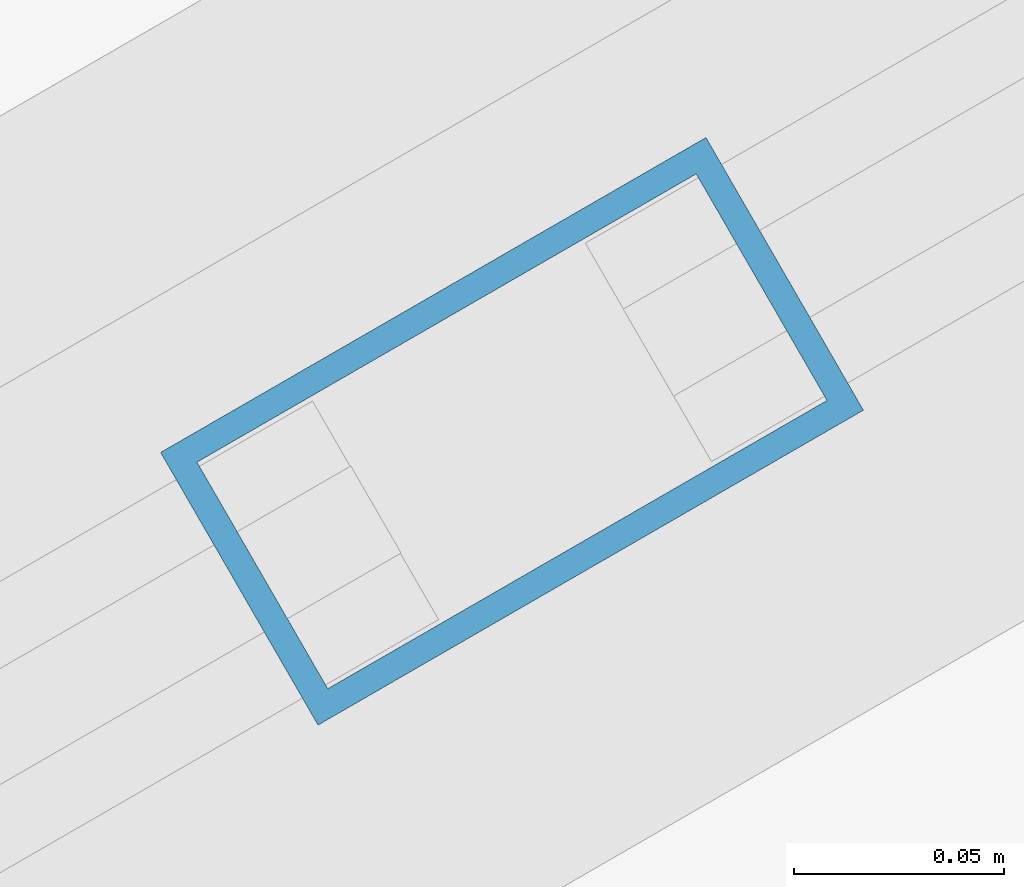
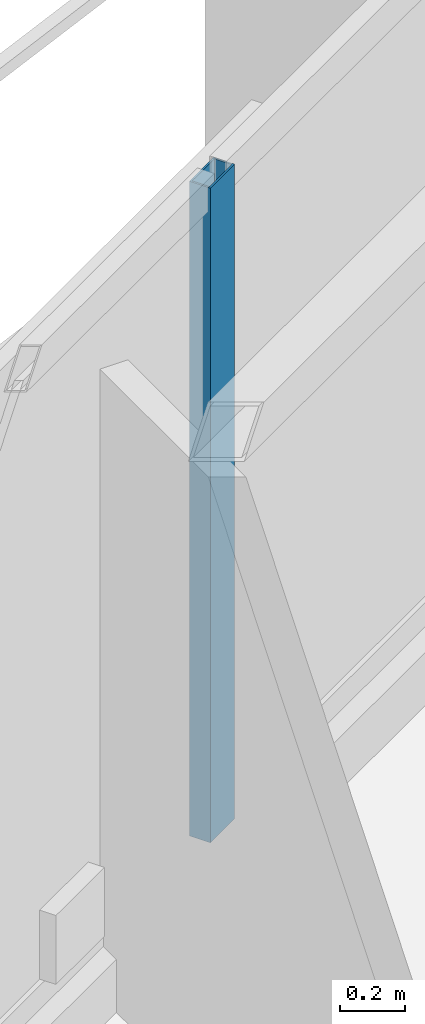
# One storey, part 11 of 23: 1 member, 1 element without a shape of its own.
"""IFC4 building model written with IfcOpenShell, lengths in metres."""

from ifc_helpers import new_model, si_unit, direction, frame, origin, origin_2d, place, context, subcontext, project, spatial, hollow_rectangle, extrude, material, layer, layer_set, material_profile, profile_set, type_object, element, aggregate, save


model = new_model("IFC4")

# Units and contexts
model_context = context("Model", 3, precision=1e-05, world=origin(), true_north=direction((0.0, 1.0)))
body_context = subcontext(model_context, "Body", "Model", "MODEL_VIEW")
ifc_project = project(units=[si_unit("LENGTHUNIT", "METRE"), si_unit("AREAUNIT", "SQUARE_METRE"), si_unit("VOLUMEUNIT", "CUBIC_METRE"), si_unit("PLANEANGLEUNIT", "RADIAN"), si_unit("MASSUNIT", "GRAM", prefix="KILO")], contexts=[model_context])

# Site, building, storey
site_placement = place(None, origin())
site = spatial("IfcSite", under=ifc_project, at=site_placement, CompositionType="ELEMENT")
building_placement = place(site_placement, origin())
building = spatial("IfcBuilding", under=site, at=building_placement, Name="Mersakhor Tower and Convention Hall", CompositionType="ELEMENT")
storey_placement = place(building_placement, frame((0.0, 0.0, 73.5)))
storey = spatial("IfcBuildingStorey", under=building, at=storey_placement, Name="L19", CompositionType="ELEMENT", Elevation=73.5)

# Curtain wall, member
ifc_material_1 = material(Name="Dark solar low-E aluminium curtain wall", Category="aluminium")
ifc_layer = layer(ifc_material_1, 0.159912109375)
ifc_layer_set = layer_set([ifc_layer], Name="Dark solar low-E aluminium curtain wall")
curtain_wall_type = type_object("IfcCurtainWallType", Name="CW-SYS-01", PredefinedType="USERDEFINED", material=ifc_layer_set)
curtain_wall_placement = place(storey_placement, origin())
curtain_wall = element("IfcCurtainWall", 1, at=curtain_wall_placement, inside=storey, type_object=curtain_wall_type, Name="L19 Dark-Glass Curtain Wall F1-B2", ObjectType="CURTAIN WALL", PredefinedType="USERDEFINED")
ifc_material_2 = material(Name="Anodised aluminium EN AW-6063 T6", Category="aluminium")
ifc_material_profile = material_profile(ifc_material_2, hollow_rectangle(XDim=0.074951171875, YDim=0.14990234375, WallThickness=0.00634765625, at=origin_2d()), Name="RHS 150x75x6.3")
ifc_profile_set = profile_set([ifc_material_profile], Name="Anodised aluminium EN AW-6063 T6")
member_type = type_object("IfcMemberType", Name="CWM-150x75", PredefinedType="MULLION", material=ifc_profile_set)
member_placement = place(storey_placement, frame((20.36181640625, 37.968505859375, 0.199951171875), z_axis=(0.0, 0.0, 1.0), x_axis=(-0.499997904985, 0.866026613339, 0.0)))
member = element("IfcMember", 2, at=member_placement, type_object=member_type, Name="CW-01 mullion 2", PredefinedType="MULLION", context=body_context, shape_type="SweptSolid", body=[
    extrude(hollow_rectangle(XDim=0.074951171875, YDim=0.14990234375, WallThickness=0.00634765625, at=origin_2d()), origin(), (0.0, 0.0, 1.0), 2.469970703125),
])
aggregate(curtain_wall, [member])

save(model, "model.ifc")
